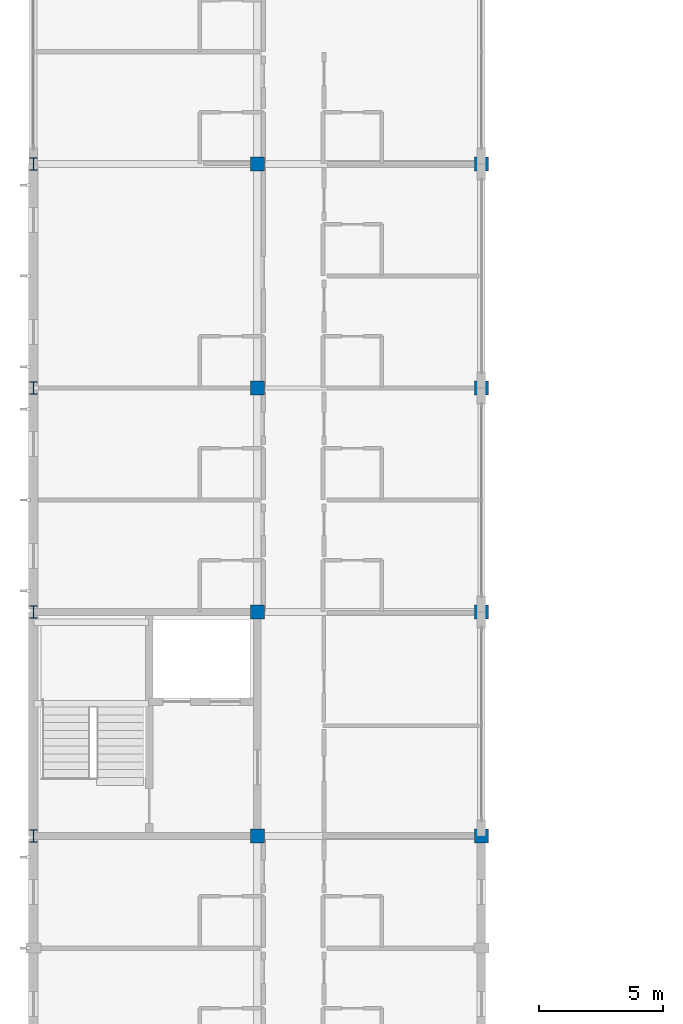
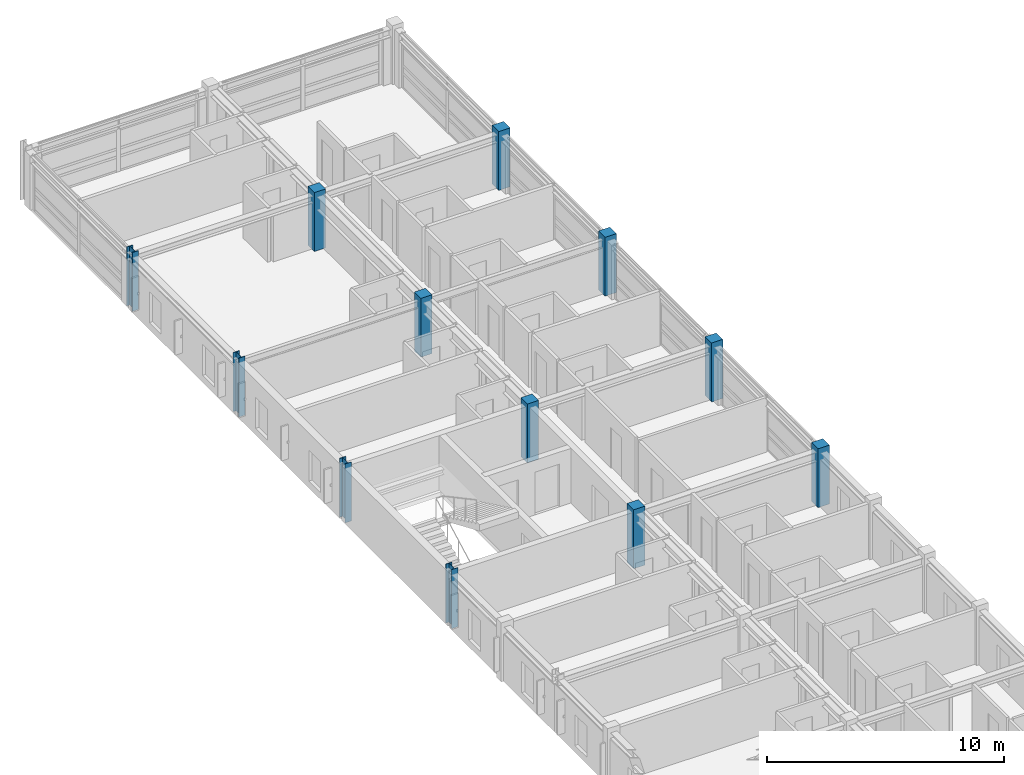
# One storey, part 3 of 30: 12 columns.
"""IFC4 building model written with IfcOpenShell, lengths in metres."""

import ifcopenshell
import ifcopenshell.guid

model = None  # the IFC model being written
_history = None  # IfcOwnerHistory: only IFC2X3 demands one
_inside = {}  # id of a spatial element -> (the spatial element, [elements in it])
_under = {}  # id of a project, library or spatial element -> (it, [spatial elements below it])
_declared = {}  # id of a project -> (the project, [libraries it declares])
_typed = {}  # id of a type object -> (the type object, [elements of that type])
_made_of = {}  # id of a material, layer set ... -> (it, [elements and type objects made of it])


def new_model(schema):
    """Start an empty IFC model of exactly this schema.

    Asked for "IFC4X3", IfcOpenShell would pick the latest addendum, in which some entities
    have other attributes; the version numbers below select the first issue.
    IFC2X3 requires an IfcOwnerHistory on every rooted entity: one is made here for all.
    """
    global model, _history
    if schema == "IFC4X3":
        model = ifcopenshell.file(schema_version=(4, 3, 0, 0))
    else:
        model = ifcopenshell.file(schema=schema)
    _inside.clear()
    _under.clear()
    _declared.clear()
    _typed.clear()
    _made_of.clear()
    _history = None
    if model.schema == "IFC2X3":
        org = make("IfcOrganization", Name="unknown")
        user = make(
            "IfcPersonAndOrganization",
            ThePerson=make("IfcPerson", FamilyName="unknown"),
            TheOrganization=org,
        )
        app = make(
            "IfcApplication",
            ApplicationDeveloper=org,
            Version="unknown",
            ApplicationFullName="unknown",
            ApplicationIdentifier="unknown",
        )
        _history = make(
            "IfcOwnerHistory",
            OwningUser=user,
            OwningApplication=app,
            ChangeAction="ADDED",
            CreationDate=0,
        )
    return model


def make(cls, **values):
    """One entity of the class cls with the attributes given. An attribute that is None is left unset."""
    return model.create_entity(
        cls, **{name: value for name, value in values.items() if value is not None}
    )


def rooted(cls, **values):
    """An entity with a GlobalId (a new one), such as an element, a storey or a relation."""
    return make(cls, GlobalId=ifcopenshell.guid.new(), OwnerHistory=_history, **values)


def si_unit(unit_type, name, prefix=None):
    """IfcSIUnit, for example si_unit("LENGTHUNIT", "METRE", prefix="MILLI")."""
    return make("IfcSIUnit", UnitType=unit_type, Prefix=prefix, Name=name)


def assignment(units):
    """IfcUnitAssignment: the units of a project."""
    return None if units is None else make("IfcUnitAssignment", Units=units)


def point(xyz):
    """IfcCartesianPoint."""
    return None if xyz is None else make("IfcCartesianPoint", Coordinates=xyz)


def direction(xyz):
    """IfcDirection."""
    return None if xyz is None else make("IfcDirection", DirectionRatios=xyz)


def frame(location, z_axis=None, x_axis=None):
    """IfcAxis2Placement3D, a coordinate frame: its origin and axes. An axis left out is left unset."""
    return make(
        "IfcAxis2Placement3D",
        Location=point(location),
        Axis=direction(z_axis),
        RefDirection=direction(x_axis),
    )


def frame_2d(location, x_axis=None):
    """IfcAxis2Placement2D, a coordinate frame in the plane: its origin and x axis."""
    return make(
        "IfcAxis2Placement2D", Location=point(location), RefDirection=direction(x_axis)
    )


def origin():
    """The frame at (0, 0, 0) with its axes left unset."""
    return frame((0.0, 0.0, 0.0))


def origin_2d():
    """The frame at (0, 0) in the plane with its x axis left unset."""
    return frame_2d((0.0, 0.0))


def place(relative_to, where):
    """IfcLocalPlacement: puts the frame where relative to a parent placement (None: the world)."""
    return make(
        "IfcLocalPlacement", PlacementRelTo=relative_to, RelativePlacement=where
    )


def context(
    kind, dimensions, precision=None, world=None, true_north=None, identifier=None
):
    """IfcGeometricRepresentationContext, for example the 3D "Model" context."""
    return make(
        "IfcGeometricRepresentationContext",
        ContextIdentifier=identifier,
        ContextType=kind,
        CoordinateSpaceDimension=dimensions,
        Precision=precision,
        WorldCoordinateSystem=world,
        TrueNorth=true_north,
    )


def subcontext(parent, identifier, kind, view, scale=None):
    """IfcGeometricRepresentationSubContext, for example "Body" below "Model"."""
    return make(
        "IfcGeometricRepresentationSubContext",
        ContextIdentifier=identifier,
        ContextType=kind,
        ParentContext=parent,
        TargetScale=scale,
        TargetView=view,
    )


def project(units=None, contexts=None):
    """IfcProject with its units and contexts."""
    return rooted(
        "IfcProject",
        Name="project",
        RepresentationContexts=contexts,
        UnitsInContext=assignment(units),
    )


def spatial(cls, under=None, at=None, **own):
    """A site, building, storey or space (cls), placed at a placement, below another one or the project."""
    s = rooted(cls, ObjectPlacement=at, **own)
    if under is not None:
        _under.setdefault(under.id(), (under, []))[1].append(s)
    return s


def profile(cls, at=None, kind="AREA", **sizes):
    """A parametric profile (cls). Its sizes go by their IFC names, for example OverallWidth=200.0."""
    return make(cls, ProfileType=kind, Position=at, **sizes)


def rectangle(**sizes):
    """IfcRectangleProfileDef."""
    return profile("IfcRectangleProfileDef", **sizes)


def i_section(**sizes):
    """IfcIShapeProfileDef."""
    return profile("IfcIShapeProfileDef", **sizes)


def extrude(swept, where, along, depth):
    """IfcExtrudedAreaSolid: the profile swept, set in the frame where, extruded along a direction by depth."""
    return make(
        "IfcExtrudedAreaSolid",
        SweptArea=swept,
        Position=where,
        ExtrudedDirection=direction(along),
        Depth=depth,
    )


def shape(context_of_items, identifier, shape_type, items):
    """IfcShapeRepresentation: the items that make up one representation, for example the "Body"."""
    return make(
        "IfcShapeRepresentation",
        ContextOfItems=context_of_items,
        RepresentationIdentifier=identifier,
        RepresentationType=shape_type,
        Items=items,
    )


def material(Name=None, Category=None):
    """IfcMaterial."""
    return make("IfcMaterial", Name=Name, Category=Category)


def material_profile(
    of_material, cross_section, Name=None, Category=None, Priority=None
):
    """IfcMaterialProfile: a cross section and its material."""
    return make(
        "IfcMaterialProfile",
        Name=Name,
        Material=of_material,
        Profile=cross_section,
        Priority=Priority,
        Category=Category,
    )


def profile_set(profiles, Name=None, composite=None):
    """IfcMaterialProfileSet."""
    return make(
        "IfcMaterialProfileSet",
        Name=Name,
        MaterialProfiles=profiles,
        CompositeProfile=composite,
    )


def made_of(thing, what):
    """Note that an element or type object is made of a material, layer set ...; save() writes the relation."""
    if what is not None:
        _made_of.setdefault(what.id(), (what, []))[1].append(thing)
    return thing


def type_object(cls, material=None, **own):
    """A type object (cls), such as IfcWallType, which elements share."""
    return made_of(rooted(cls, **own), material)


def element(
    cls,
    number,
    at=None,
    inside=None,
    cuts=None,
    type_object=None,
    material=None,
    context=None,
    identifier="Body",
    shape_type=None,
    held_by="IfcProductDefinitionShape",
    body=None,
    shapes=None,
    **own,
):
    """One element of the class cls, such as IfcWall. Its Tag is "e" and its number.

    at: its placement. inside: the storey or other place that contains it. cuts: it is an
    opening in that element (IfcRelVoidsElement). A single representation is given by context,
    identifier, shape_type and body (its items); several are given by shapes. held_by: the class
    of the entity that holds the representations. save() writes the other relations.
    """
    e = rooted(cls, Tag="e%d" % number, ObjectPlacement=at, **own)
    if body is not None:
        shapes = [shape(context, identifier, shape_type, body)]
    if shapes is not None:
        e.Representation = make(held_by, Representations=shapes)
    if inside is not None:
        _inside.setdefault(inside.id(), (inside, []))[1].append(e)
    if cuts is not None:
        rooted(
            "IfcRelVoidsElement", RelatingBuildingElement=cuts, RelatedOpeningElement=e
        )
    if type_object is not None:
        _typed.setdefault(type_object.id(), (type_object, []))[1].append(e)
    return made_of(e, material)


def aggregate(whole, parts):
    """IfcRelAggregates: a whole, such as a stair, and the parts it consists of."""
    return rooted("IfcRelAggregates", RelatingObject=whole, RelatedObjects=parts)


def save(model, path):
    """Write the relations noted so far, then the file.

    IfcRelAggregates (storeys below a building ...), IfcRelContainedInSpatialStructure (elements
    in a storey), IfcRelDefinesByType, IfcRelAssociatesMaterial and IfcRelDeclares: one each for
    every whole, place, type object, material and project.
    """
    for whole, parts in _under.values():
        aggregate(whole, parts)
    for where, things in _inside.values():
        rooted(
            "IfcRelContainedInSpatialStructure",
            RelatedElements=things,
            RelatingStructure=where,
        )
    for kind, things in _typed.values():
        rooted("IfcRelDefinesByType", RelatedObjects=things, RelatingType=kind)
    for what, things in _made_of.values():
        rooted("IfcRelAssociatesMaterial", RelatedObjects=things, RelatingMaterial=what)
    for by, libraries in _declared.values():
        rooted("IfcRelDeclares", RelatingContext=by, RelatedDefinitions=libraries)
    model.write(path)


model = new_model("IFC4")

# Units and contexts
model_context = context("Model", 3, precision=1e-05, world=origin(), true_north=direction((0.0, 1.0)))
body_context = subcontext(model_context, "Body", "Model", "MODEL_VIEW")
ifc_project = project(units=[si_unit("LENGTHUNIT", "METRE"), si_unit("AREAUNIT", "SQUARE_METRE"), si_unit("VOLUMEUNIT", "CUBIC_METRE"), si_unit("PLANEANGLEUNIT", "RADIAN"), si_unit("MASSUNIT", "GRAM", prefix="KILO")], contexts=[model_context])

# Site, building, storey
site_placement = place(None, origin())
site = spatial("IfcSite", under=ifc_project, at=site_placement, CompositionType="ELEMENT")
building_placement = place(site_placement, origin())
building = spatial("IfcBuilding", under=site, at=building_placement, Name="Palais des Congres Ocreval", CompositionType="ELEMENT")
storey_placement = place(building_placement, frame((0.0, 0.0, 14.56005859375)))
storey = spatial("IfcBuildingStorey", under=building, at=storey_placement, Name="L04", CompositionType="ELEMENT", Elevation=14.56005859375)

# Columns
ifc_material_1 = material(Name="Steel S355", Category="steel")
ifc_material_profile_1 = material_profile(ifc_material_1, i_section(OverallWidth=0.300048828125, OverallDepth=0.5, WebThickness=0.014404296875, FlangeThickness=0.028076171875, at=origin_2d()), Name="HEB 500")
ifc_profile_set_1 = profile_set([ifc_material_profile_1], Name="Steel S355")
column_type_1 = type_object("IfcColumnType", Name="Column HEB 500 Steel S355", PredefinedType="COLUMN", material=ifc_profile_set_1)
for number, where, z_axis, x_axis, name in (
    (1, (0.0, 36.0, 0.0), (0.0, 0.0, 1.0), (1.0, 0.0, 0.0), "Column C08 L04"),
    (2, (0.0, 45.0, 0.0), (0.0, 0.0, 1.0), (1.0, 0.0, 0.0), "Column C08 L04"),
    (3, (0.0, 54.0, 0.0), (0.0, 0.0, 1.0), (1.0, 0.0, 0.0), "Column C08 L04"),
    (4, (0.0, 63.0, 0.0), (0.0, 0.0, 1.0), (1.0, 0.0, 0.0), "Column C08 L04"),
):
    element("IfcColumn", number, at=place(storey_placement, frame(where, z_axis=z_axis, x_axis=x_axis)), inside=storey, type_object=column_type_1, Name=name, PredefinedType="COLUMN", context=body_context, shape_type="SweptSolid", body=[
        extrude(i_section(OverallWidth=0.300048828125, OverallDepth=0.5, WebThickness=0.014404296875, FlangeThickness=0.028076171875, at=origin_2d()), origin(), (0.0, 0.0, 1.0), 3.0400390625),
    ])
ifc_material_2 = material(Name="Concrete C40/50", Category="concrete")
ifc_material_profile_2 = material_profile(ifc_material_2, rectangle(XDim=0.550048828125, YDim=0.550048828125, at=origin_2d()), Name="RC 550x550")
ifc_profile_set_2 = profile_set([ifc_material_profile_2], Name="Concrete C40/50")
column_type_2 = type_object("IfcColumnType", Name="Column RC 550x550 Concrete C40/50", PredefinedType="COLUMN", material=ifc_profile_set_2)
for number, where, z_axis, x_axis, name in (
    (5, (9.0, 36.0, 0.0), (0.0, 0.0, 1.0), (1.0, 0.0, 0.0), "Column C24 L04"),
    (6, (9.0, 45.0, 0.0), (0.0, 0.0, 1.0), (1.0, 0.0, 0.0), "Column C24 L04"),
    (7, (9.0, 54.0, 0.0), (0.0, 0.0, 1.0), (1.0, 0.0, 0.0), "Column C24 L04"),
    (8, (9.0, 63.0, 0.0), (0.0, 0.0, 1.0), (1.0, 0.0, 0.0), "Column C24 L04"),
    (9, (18.0, 36.0, 0.0), (0.0, 0.0, 1.0), (1.0, 0.0, 0.0), "Column C24 L04"),
    (10, (18.0, 45.0, 0.0), (0.0, 0.0, 1.0), (1.0, 0.0, 0.0), "Column C24 L04"),
    (11, (18.0, 54.0, 0.0), (0.0, 0.0, 1.0), (1.0, 0.0, 0.0), "Column C24 L04"),
    (12, (18.0, 63.0, 0.0), (0.0, 0.0, 1.0), (1.0, 0.0, 0.0), "Column C24 L04"),
):
    element("IfcColumn", number, at=place(storey_placement, frame(where, z_axis=z_axis, x_axis=x_axis)), inside=storey, type_object=column_type_2, Name=name, PredefinedType="COLUMN", context=body_context, shape_type="SweptSolid", body=[
        extrude(rectangle(XDim=0.550048828125, YDim=0.550048828125, at=origin_2d()), origin(), (0.0, 0.0, 1.0), 3.0400390625),
    ])

save(model, "model.ifc")
